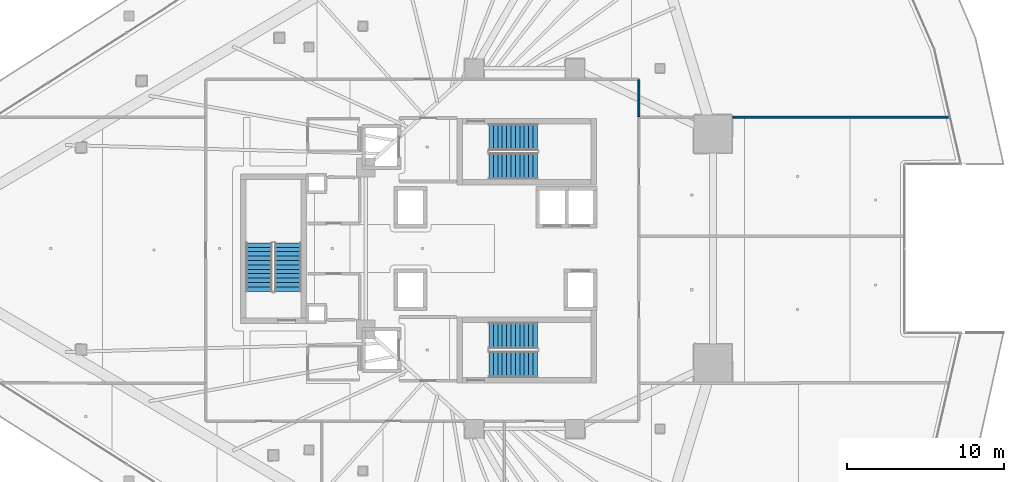
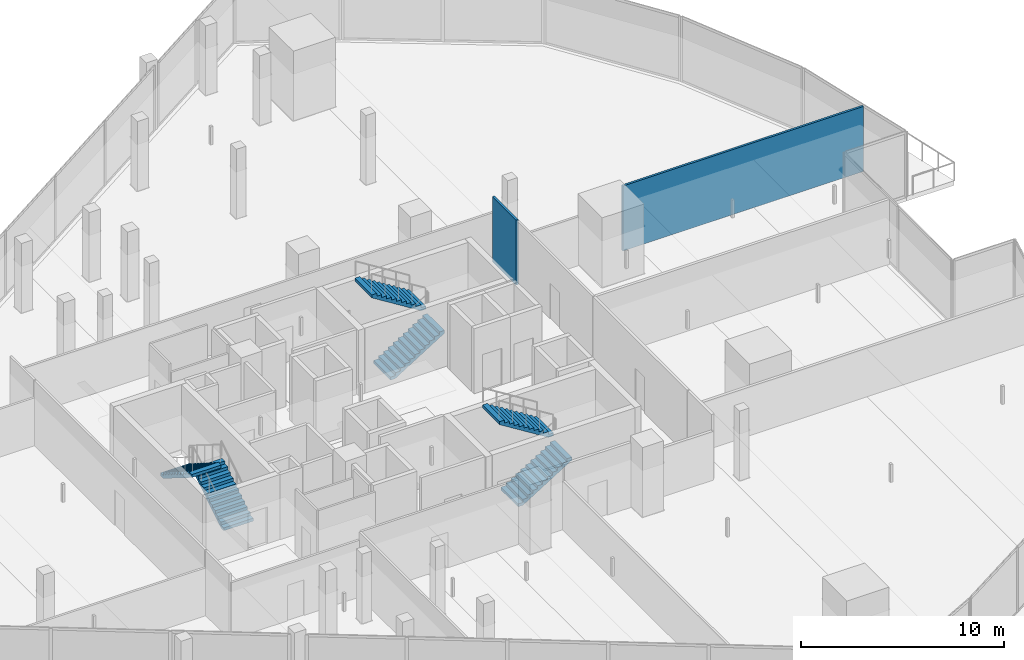
# One storey, part 30 of 44: 6 stair flights, 2 walls, 3 elements without a shape of their own.
"""IFC4 building model written with IfcOpenShell, lengths in metres."""

from ifc_helpers import new_model, si_unit, direction, frame, frame_2d, origin, place, context, subcontext, project, spatial, polyline, rectangle, outline, extrude, material, layer, layer_set, type_object, element, aggregate, save


model = new_model("IFC4")

# Units and contexts
model_context = context("Model", 3, precision=1e-05, world=origin(), true_north=direction((0.0, 1.0)))
body_context = subcontext(model_context, "Body", "Model", "MODEL_VIEW")
ifc_project = project(units=[si_unit("LENGTHUNIT", "METRE"), si_unit("AREAUNIT", "SQUARE_METRE"), si_unit("VOLUMEUNIT", "CUBIC_METRE"), si_unit("PLANEANGLEUNIT", "RADIAN"), si_unit("MASSUNIT", "GRAM", prefix="KILO")], contexts=[model_context])

# Site, building, storey
site_placement = place(None, origin())
site = spatial("IfcSite", under=ifc_project, at=site_placement, CompositionType="ELEMENT")
building_placement = place(site_placement, origin())
building = spatial("IfcBuilding", under=site, at=building_placement, Name="Qorvath Tower", CompositionType="ELEMENT")
storey_placement = place(building_placement, frame((0.0, 0.0, 40.800048828125)))
storey = spatial("IfcBuildingStorey", under=building, at=storey_placement, Name="L08", CompositionType="ELEMENT", Elevation=40.800048828125)

# Walls
ifc_material_1 = material(Name="Gypsum board on metal studs with mineral wool", Category="gypsum")
ifc_layer_1 = layer(ifc_material_1, 0.125)
ifc_layer_set_1 = layer_set([ifc_layer_1], Name="IW-PART-125")
wall_type = type_object("IfcWallType", Name="IW-PART-125", PredefinedType="PARTITIONING", material=ifc_layer_set_1)
wall_1_placement = place(storey_placement, frame((-13.14208984375, 8.375, 0.0), z_axis=(0.0, 0.0, 1.0), x_axis=(0.0, 1.0, 0.0)))
element("IfcWall", 1, at=wall_1_placement, inside=storey, type_object=wall_type, Name="Interior Partition IW-T1-L08-022", PredefinedType="PARTITIONING", context=body_context, shape_type="SweptSolid", body=[
    extrude(rectangle(XDim=2.358154296875, YDim=0.125, at=frame_2d((1.17919921875, 0.0))), origin(), (0.0, 0.0, 1.0), 3.919921875),
])
wall_2_placement = place(storey_placement, frame((-7.165283203125, 8.35009765625, 0.0), z_axis=(0.0, 0.0, 1.0), x_axis=(1.0, 0.0, 0.0)))
element("IfcWall", 2, at=wall_2_placement, inside=storey, type_object=wall_type, Name="Interior Partition IW-T1-L08-024", PredefinedType="PARTITIONING", context=body_context, shape_type="SweptSolid", body=[
    extrude(rectangle(XDim=13.709716796875, YDim=0.125, at=frame_2d((6.85498046875, 0.0))), origin(), (0.0, 0.0, 1.0), 3.919921875),
])

# Stair, stair flights
ifc_material_2 = material(Name="Concrete C50/60", Category="concrete")
stair_type = type_object("IfcStairType", Name="ST-H420", PredefinedType="HALF_TURN_STAIR", material=ifc_material_2)
stair_1_placement = place(storey_placement, origin())
stair_1 = element("IfcStair", 3, at=stair_1_placement, inside=storey, type_object=stair_type, Name="L08 Tower Exit Stair 1", PredefinedType="HALF_TURN_STAIR")
ifc_material_3 = material(Name="Concrete C50/60", Category="concrete")
ifc_layer_2 = layer(ifc_material_3, 0.14990234375)
ifc_layer_set_2 = layer_set([ifc_layer_2], Name="SF-H420")
stair_flight_type = type_object("IfcStairFlightType", Name="SF-H420", PredefinedType="STRAIGHT", material=ifc_layer_set_2)
stair_flight_1_placement = place(storey_placement, frame((-22.669921875, 5.239990234375, 0.0), z_axis=(0.0, 0.0, 1.0), x_axis=(1.0, 0.0, 0.0)))
stair_flight_1 = element("IfcStairFlight", 4, at=stair_flight_1_placement, type_object=stair_flight_type, Name="TS1 flight 1", NumberOfRisers=12, NumberOfTreads=11, PredefinedType="STRAIGHT", RiserHeight=0.175, TreadLength=0.28, context=body_context, shape_type="SweptSolid", body=[
    extrude(outline(polyline([(0.0, 0.0), (0.0, 0.175048828125), (0.280029296875, 0.175048828125), (0.280029296875, 0.35009765625), (0.56005859375, 0.35009765625), (0.56005859375, 0.52490234375), (0.840087890625, 0.52490234375), (0.840087890625, 0.699951171875), (1.1201171875, 0.699951171875), (1.1201171875, 0.875), (1.39990234375, 0.875), (1.39990234375, 1.050048828125), (1.679931640625, 1.050048828125), (1.679931640625, 1.22509765625), (1.9599609375, 1.22509765625), (1.9599609375, 1.39990234375), (2.239990234375, 1.39990234375), (2.239990234375, 1.574951171875), (2.52001953125, 1.574951171875), (2.52001953125, 1.75), (2.800048828125, 1.75), (2.800048828125, 1.925048828125), (3.080078125, 1.925048828125), (3.080078125, 2.10009765625), (3.080078125, 1.748291015625), (0.28271484375, 0.0), (0.0, 0.0)])), frame((0.0, 0.83984375, 0.0), z_axis=(0.0, -1.0, 0.0), x_axis=(1.0, 0.0, 0.0)), (0.0, 0.0, 1.0), 1.679931640625),
])
stair_flight_2_placement = place(storey_placement, frame((-19.590087890625, 7.070068359375, 2.099853515625), z_axis=(0.0, 0.0, 1.0), x_axis=(-1.0, 0.0, 0.0)))
stair_flight_2 = element("IfcStairFlight", 5, at=stair_flight_2_placement, type_object=stair_flight_type, Name="TS1 flight 2", NumberOfRisers=12, NumberOfTreads=11, PredefinedType="STRAIGHT", RiserHeight=0.175, TreadLength=0.28, context=body_context, shape_type="SweptSolid", body=[
    extrude(outline(polyline([(0.0, 0.0), (0.0, 0.175048828125), (0.280029296875, 0.175048828125), (0.280029296875, 0.35009765625), (0.56005859375, 0.35009765625), (0.56005859375, 0.52490234375), (0.840087890625, 0.52490234375), (0.840087890625, 0.699951171875), (1.1201171875, 0.699951171875), (1.1201171875, 0.875), (1.39990234375, 0.875), (1.39990234375, 1.050048828125), (1.679931640625, 1.050048828125), (1.679931640625, 1.22509765625), (1.9599609375, 1.22509765625), (1.9599609375, 1.39990234375), (2.239990234375, 1.39990234375), (2.239990234375, 1.574951171875), (2.52001953125, 1.574951171875), (2.52001953125, 1.75), (2.800048828125, 1.75), (2.800048828125, 1.925048828125), (3.080078125, 1.925048828125), (3.080078125, 2.10009765625), (3.080078125, 1.748291015625), (0.28271484375, 0.0), (0.0, 0.0)])), frame((0.0, 0.83984375, 0.0), z_axis=(0.0, -1.0, 0.0), x_axis=(1.0, 0.0, 0.0)), (0.0, 0.0, 1.0), 1.679931640625),
])
aggregate(stair_1, [stair_flight_1, stair_flight_2])

stair_2_placement = place(storey_placement, origin())
stair_2 = element("IfcStair", 6, at=stair_2_placement, inside=storey, type_object=stair_type, Name="L08 Tower Exit Stair 2", PredefinedType="HALF_TURN_STAIR")
stair_flight_3_placement = place(storey_placement, frame((-22.669921875, -7.360107421875, 0.0), z_axis=(0.0, 0.0, 1.0), x_axis=(1.0, 0.0, 0.0)))
stair_flight_3 = element("IfcStairFlight", 7, at=stair_flight_3_placement, type_object=stair_flight_type, Name="TS2 flight 1", NumberOfRisers=12, NumberOfTreads=11, PredefinedType="STRAIGHT", RiserHeight=0.175, TreadLength=0.28, context=body_context, shape_type="SweptSolid", body=[
    extrude(outline(polyline([(0.0, 0.0), (0.0, 0.175048828125), (0.280029296875, 0.175048828125), (0.280029296875, 0.35009765625), (0.56005859375, 0.35009765625), (0.56005859375, 0.52490234375), (0.840087890625, 0.52490234375), (0.840087890625, 0.699951171875), (1.1201171875, 0.699951171875), (1.1201171875, 0.875), (1.39990234375, 0.875), (1.39990234375, 1.050048828125), (1.679931640625, 1.050048828125), (1.679931640625, 1.22509765625), (1.9599609375, 1.22509765625), (1.9599609375, 1.39990234375), (2.239990234375, 1.39990234375), (2.239990234375, 1.574951171875), (2.52001953125, 1.574951171875), (2.52001953125, 1.75), (2.800048828125, 1.75), (2.800048828125, 1.925048828125), (3.080078125, 1.925048828125), (3.080078125, 2.10009765625), (3.080078125, 1.748291015625), (0.28271484375, 0.0), (0.0, 0.0)])), frame((0.0, 0.83984375, 0.0), z_axis=(0.0, -1.0, 0.0), x_axis=(1.0, 0.0, 0.0)), (0.0, 0.0, 1.0), 1.679931640625),
])
stair_flight_4_placement = place(storey_placement, frame((-19.590087890625, -5.530029296875, 2.099853515625), z_axis=(0.0, 0.0, 1.0), x_axis=(-1.0, 0.0, 0.0)))
stair_flight_4 = element("IfcStairFlight", 8, at=stair_flight_4_placement, type_object=stair_flight_type, Name="TS2 flight 2", NumberOfRisers=12, NumberOfTreads=11, PredefinedType="STRAIGHT", RiserHeight=0.175, TreadLength=0.28, context=body_context, shape_type="SweptSolid", body=[
    extrude(outline(polyline([(0.0, 0.0), (0.0, 0.175048828125), (0.280029296875, 0.175048828125), (0.280029296875, 0.35009765625), (0.56005859375, 0.35009765625), (0.56005859375, 0.52490234375), (0.840087890625, 0.52490234375), (0.840087890625, 0.699951171875), (1.1201171875, 0.699951171875), (1.1201171875, 0.875), (1.39990234375, 0.875), (1.39990234375, 1.050048828125), (1.679931640625, 1.050048828125), (1.679931640625, 1.22509765625), (1.9599609375, 1.22509765625), (1.9599609375, 1.39990234375), (2.239990234375, 1.39990234375), (2.239990234375, 1.574951171875), (2.52001953125, 1.574951171875), (2.52001953125, 1.75), (2.800048828125, 1.75), (2.800048828125, 1.925048828125), (3.080078125, 1.925048828125), (3.080078125, 2.10009765625), (3.080078125, 1.748291015625), (0.28271484375, 0.0), (0.0, 0.0)])), frame((0.0, 0.83984375, 0.0), z_axis=(0.0, -1.0, 0.0), x_axis=(1.0, 0.0, 0.0)), (0.0, 0.0, 1.0), 1.679931640625),
])
aggregate(stair_2, [stair_flight_3, stair_flight_4])

stair_3_placement = place(storey_placement, origin())
stair_3 = element("IfcStair", 9, at=stair_3_placement, inside=storey, type_object=stair_type, Name="L08 Tower Exit Stair 3", PredefinedType="HALF_TURN_STAIR")
stair_flight_5_placement = place(storey_placement, frame((-35.43994140625, -2.719970703125, 0.0), z_axis=(0.0, 0.0, 1.0), x_axis=(0.0, 1.0, 0.0)))
stair_flight_5 = element("IfcStairFlight", 10, at=stair_flight_5_placement, type_object=stair_flight_type, Name="TS3 flight 1", NumberOfRisers=12, NumberOfTreads=11, PredefinedType="STRAIGHT", RiserHeight=0.175, TreadLength=0.28, context=body_context, shape_type="SweptSolid", body=[
    extrude(outline(polyline([(0.0, 0.0), (0.0, 0.175048828125), (0.280029296875, 0.175048828125), (0.280029296875, 0.35009765625), (0.56005859375, 0.35009765625), (0.56005859375, 0.52490234375), (0.840087890625, 0.52490234375), (0.840087890625, 0.699951171875), (1.1201171875, 0.699951171875), (1.1201171875, 0.875), (1.39990234375, 0.875), (1.39990234375, 1.050048828125), (1.679931640625, 1.050048828125), (1.679931640625, 1.22509765625), (1.9599609375, 1.22509765625), (1.9599609375, 1.39990234375), (2.239990234375, 1.39990234375), (2.239990234375, 1.574951171875), (2.52001953125, 1.574951171875), (2.52001953125, 1.75), (2.800048828125, 1.75), (2.800048828125, 1.925048828125), (3.080078125, 1.925048828125), (3.080078125, 2.10009765625), (3.080078125, 1.748291015625), (0.28271484375, 0.0), (0.0, 0.0)])), frame((0.0, 0.83984375, 0.0), z_axis=(0.0, -1.0, 0.0), x_axis=(1.0, 0.0, 0.0)), (0.0, 0.0, 1.0), 1.679931640625),
])
stair_flight_6_placement = place(storey_placement, frame((-37.27001953125, 0.360107421875, 2.099853515625), z_axis=(0.0, 0.0, 1.0), x_axis=(0.0, -1.0, 0.0)))
stair_flight_6 = element("IfcStairFlight", 11, at=stair_flight_6_placement, type_object=stair_flight_type, Name="TS3 flight 2", NumberOfRisers=12, NumberOfTreads=11, PredefinedType="STRAIGHT", RiserHeight=0.175, TreadLength=0.28, context=body_context, shape_type="SweptSolid", body=[
    extrude(outline(polyline([(0.0, 0.0), (0.0, 0.175048828125), (0.280029296875, 0.175048828125), (0.280029296875, 0.35009765625), (0.56005859375, 0.35009765625), (0.56005859375, 0.52490234375), (0.840087890625, 0.52490234375), (0.840087890625, 0.699951171875), (1.1201171875, 0.699951171875), (1.1201171875, 0.875), (1.39990234375, 0.875), (1.39990234375, 1.050048828125), (1.679931640625, 1.050048828125), (1.679931640625, 1.22509765625), (1.9599609375, 1.22509765625), (1.9599609375, 1.39990234375), (2.239990234375, 1.39990234375), (2.239990234375, 1.574951171875), (2.52001953125, 1.574951171875), (2.52001953125, 1.75), (2.800048828125, 1.75), (2.800048828125, 1.925048828125), (3.080078125, 1.925048828125), (3.080078125, 2.10009765625), (3.080078125, 1.748291015625), (0.28271484375, 0.0), (0.0, 0.0)])), frame((0.0, 0.83984375, 0.0), z_axis=(0.0, -1.0, 0.0), x_axis=(1.0, 0.0, 0.0)), (0.0, 0.0, 1.0), 1.679931640625),
])
aggregate(stair_3, [stair_flight_5, stair_flight_6])

save(model, "model.ifc")
